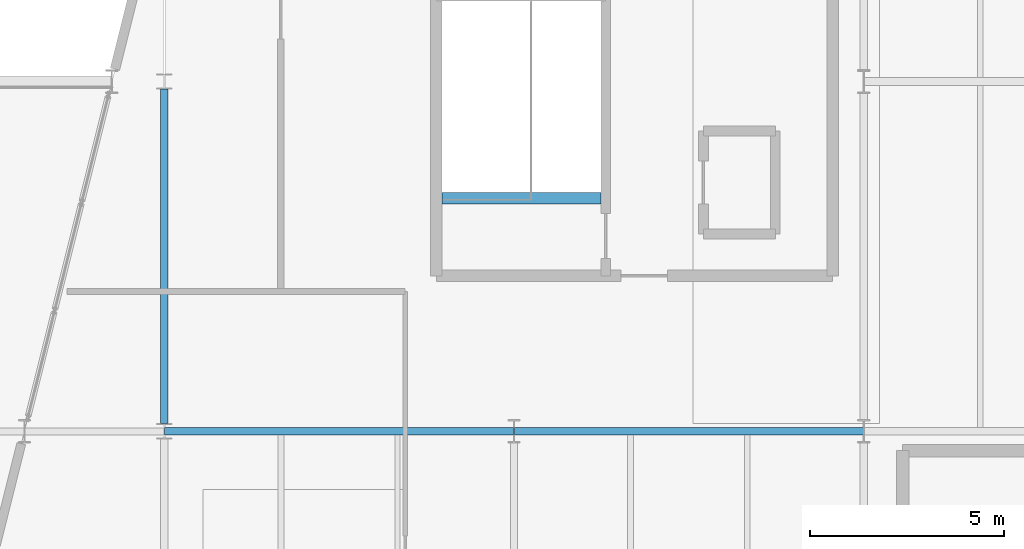
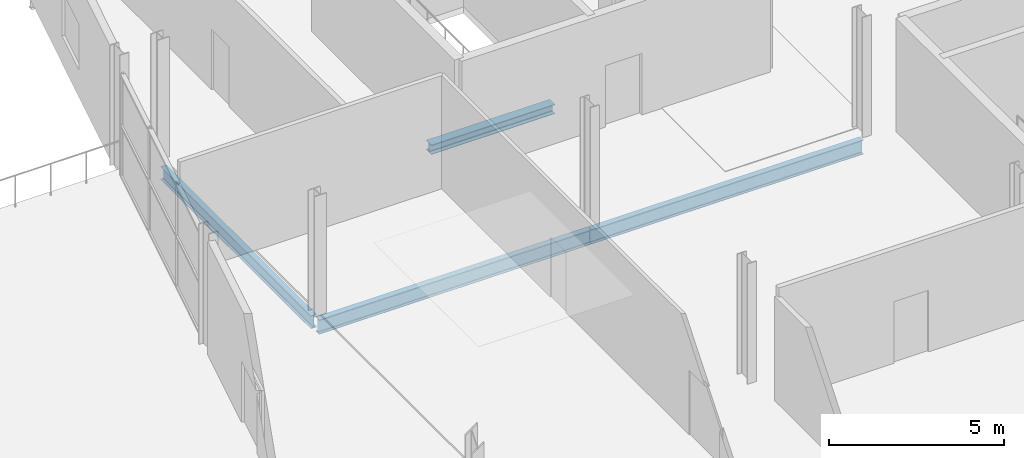
# One storey, part 16 of 44: 4 beams.
"""IFC4 building model written with IfcOpenShell, lengths in metres."""

from ifc_helpers import new_model, si_unit, direction, frame, origin, origin_2d, place, context, subcontext, project, spatial, i_section, extrude, material, material_profile, profile_set, type_object, element, save


model = new_model("IFC4")

# Units and contexts
model_context = context("Model", 3, precision=1e-05, world=origin(), true_north=direction((0.0, 1.0)))
body_context = subcontext(model_context, "Body", "Model", "MODEL_VIEW")
ifc_project = project(units=[si_unit("LENGTHUNIT", "METRE"), si_unit("AREAUNIT", "SQUARE_METRE"), si_unit("VOLUMEUNIT", "CUBIC_METRE"), si_unit("PLANEANGLEUNIT", "RADIAN"), si_unit("MASSUNIT", "GRAM", prefix="KILO")], contexts=[model_context])

# Site, building, storey
site_placement = place(None, origin())
site = spatial("IfcSite", under=ifc_project, at=site_placement, CompositionType="ELEMENT")
building_placement = place(site_placement, origin())
building = spatial("IfcBuilding", under=site, at=building_placement, Name="Deido Ridge Mobility Hub", CompositionType="ELEMENT")
storey_placement = place(building_placement, frame((0.0, 0.0, 25.199951171875)))
storey = spatial("IfcBuildingStorey", under=building, at=storey_placement, Name="L06", CompositionType="ELEMENT", Elevation=25.199951171875)

# Beams
ifc_material = material(Name="Steel S355J2 EN 10025-2", Category="steel")
ifc_material_profile_1 = material_profile(ifc_material, i_section(OverallWidth=0.300048828125, OverallDepth=0.330078125, WebThickness=0.009521484375, FlangeThickness=0.0166015625, FilletRadius=0.027099609375, at=origin_2d()), Name="HEA 340")
ifc_profile_set_1 = profile_set([ifc_material_profile_1], Name="Steel S355J2 EN 10025-2")
beam_type_1 = type_object("IfcBeamType", Name="BM-HEA340", PredefinedType="BEAM", material=ifc_profile_set_1)
beam_1_placement = place(storey_placement, frame((151.14990234375, 24.0, -0.405029296875), z_axis=(1.0, 0.0, 0.0), x_axis=(0.0, 1.0, 0.0)))
element("IfcBeam", 1, at=beam_1_placement, inside=storey, type_object=beam_type_1, Name="C3 stair landing trimmer beam B6", PredefinedType="BEAM", context=body_context, shape_type="SweptSolid", body=[
    extrude(i_section(OverallWidth=0.300048828125, OverallDepth=0.330078125, WebThickness=0.009521484375, FlangeThickness=0.0166015625, FilletRadius=0.027099609375, at=origin_2d()), origin(), (0.0, 0.0, 1.0), 4.085205078125),
])
ifc_material_profile_2 = material_profile(ifc_material, i_section(OverallWidth=0.18994140625, OverallDepth=0.449951171875, WebThickness=0.009521484375, FlangeThickness=0.0146484375, FilletRadius=0.02099609375, at=origin_2d()), Name="IPE 450")
ifc_profile_set_2 = profile_set([ifc_material_profile_2], Name="Steel S355J2 EN 10025-2")
beam_type_2 = type_object("IfcBeamType", Name="BM-IPE450", PredefinedType="BEAM", material=ifc_profile_set_2)
beam_2_placement = place(storey_placement, frame((144.0, 18.196533203125, -0.46484375), z_axis=(0.0, 1.0, 0.0), x_axis=(-1.0, 0.0, 0.0)))
element("IfcBeam", 2, at=beam_2_placement, inside=storey, type_object=beam_type_2, Name="Floor beam B4", PredefinedType="BEAM", context=body_context, shape_type="SweptSolid", body=[
    extrude(i_section(OverallWidth=0.18994140625, OverallDepth=0.449951171875, WebThickness=0.009521484375, FlangeThickness=0.0146484375, FilletRadius=0.02099609375, at=origin_2d()), origin(), (0.0, 0.0, 1.0), 8.60693359375),
])
ifc_material_profile_3 = material_profile(ifc_material, i_section(OverallWidth=0.199951171875, OverallDepth=0.5, WebThickness=0.01025390625, FlangeThickness=0.01611328125, FilletRadius=0.02099609375, at=origin_2d()), Name="IPE 500")
ifc_profile_set_3 = profile_set([ifc_material_profile_3], Name="Steel S355J2 EN 10025-2")
beam_type_3 = type_object("IfcBeamType", Name="BM-IPE500", PredefinedType="BEAM", material=ifc_profile_set_3)
beam_3_placement = place(storey_placement, frame((144.0087890625, 18.0, -0.489990234375), z_axis=(1.0, 0.0, 0.0), x_axis=(0.0, 1.0, 0.0)))
element("IfcBeam", 3, at=beam_3_placement, inside=storey, type_object=beam_type_3, Name="Floor beam B3", PredefinedType="BEAM", context=body_context, shape_type="SweptSolid", body=[
    extrude(i_section(OverallWidth=0.199951171875, OverallDepth=0.5, WebThickness=0.01025390625, FlangeThickness=0.01611328125, FilletRadius=0.02099609375, at=origin_2d()), origin(), (0.0, 0.0, 1.0), 8.9833984375),
])
beam_4_placement = place(storey_placement, frame((153.0078125, 18.0, -0.489990234375), z_axis=(1.0, 0.0, 0.0), x_axis=(0.0, 1.0, 0.0)))
element("IfcBeam", 4, at=beam_4_placement, inside=storey, type_object=beam_type_3, Name="Floor beam B3", PredefinedType="BEAM", context=body_context, shape_type="SweptSolid", body=[
    extrude(i_section(OverallWidth=0.199951171875, OverallDepth=0.5, WebThickness=0.01025390625, FlangeThickness=0.01611328125, FilletRadius=0.02099609375, at=origin_2d()), origin(), (0.0, 0.0, 1.0), 8.984375),
])

save(model, "model.ifc")
